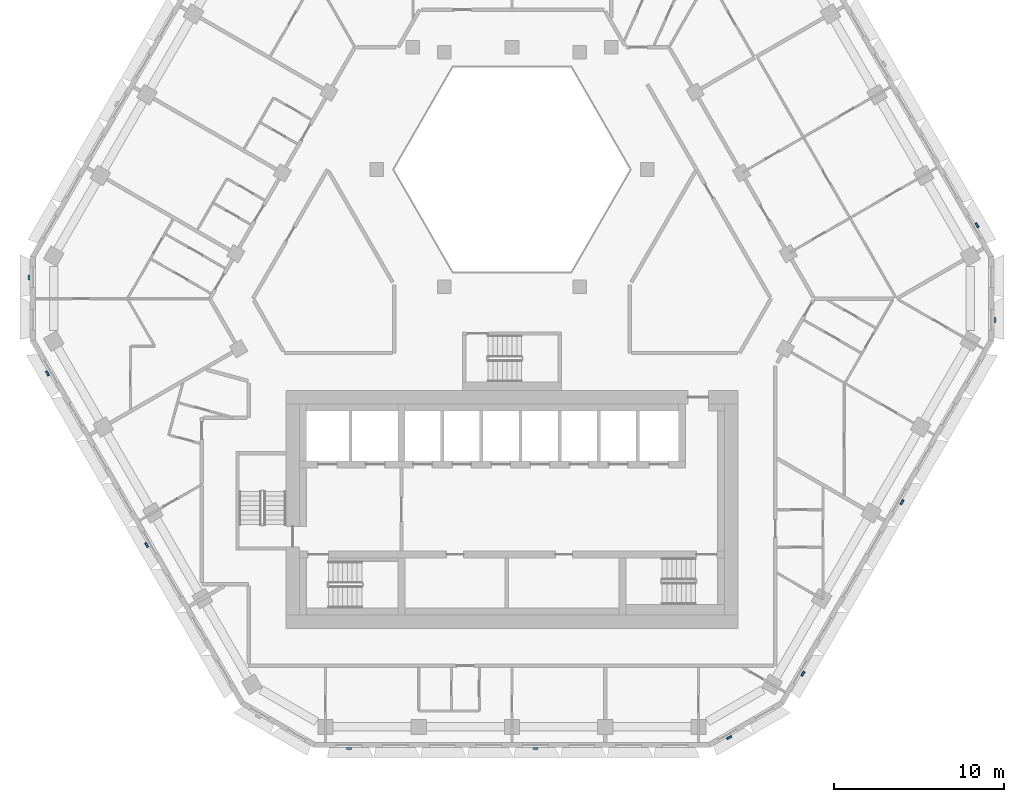
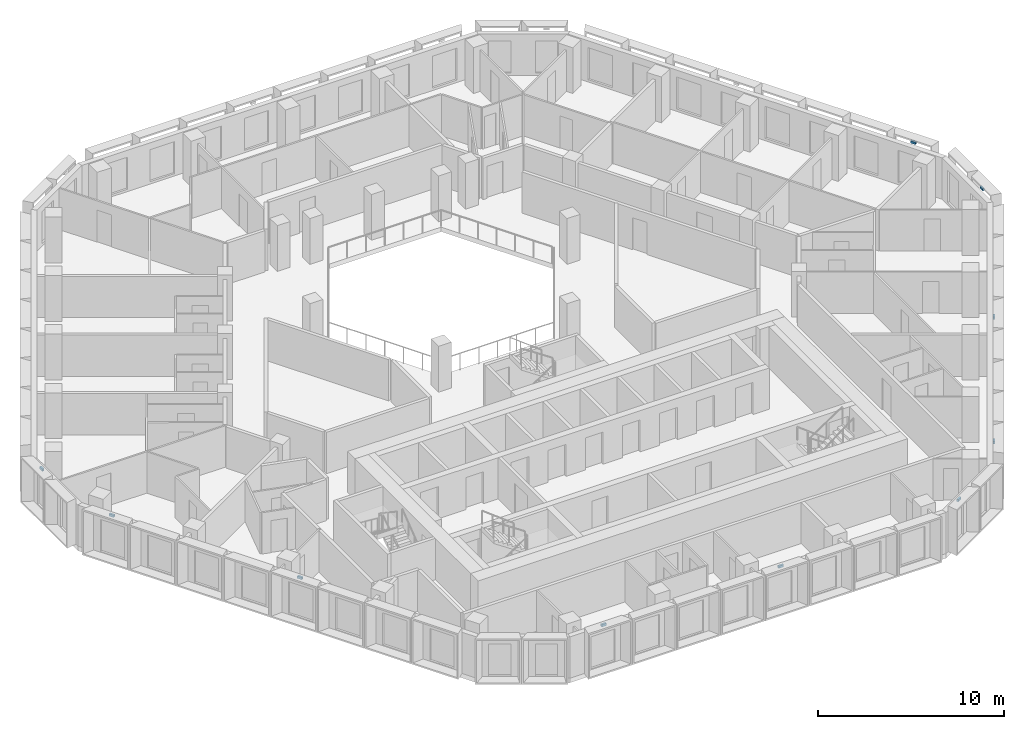
# One storey, part 10 of 17: 10 discrete accessories.
"""IFC4 building model written with IfcOpenShell, lengths in metres."""

from ifc_helpers import new_model, si_unit, direction, frame, origin, place, context, subcontext, project, spatial, polyline, outline, extrude, source, transform, mapped, material, type_object, type_shapes, element, save


model = new_model("IFC4")

# Units and contexts
model_context = context("Model", 3, precision=1e-05, world=origin(), true_north=direction((0.0, 1.0)))
body_context = subcontext(model_context, "Body", "Model", "MODEL_VIEW")
ifc_project = project(units=[si_unit("LENGTHUNIT", "METRE"), si_unit("AREAUNIT", "SQUARE_METRE"), si_unit("VOLUMEUNIT", "CUBIC_METRE"), si_unit("PLANEANGLEUNIT", "RADIAN"), si_unit("MASSUNIT", "GRAM", prefix="KILO")], contexts=[model_context])

# Site, building, storey
site_placement = place(None, origin())
site = spatial("IfcSite", under=ifc_project, at=site_placement, CompositionType="ELEMENT")
building_placement = place(site_placement, origin())
building = spatial("IfcBuilding", under=site, at=building_placement, Name="Beryl Residences", CompositionType="ELEMENT")
storey_placement = place(building_placement, frame((0.0, 0.0, 120.60009765625)))
storey = spatial("IfcBuildingStorey", under=building, at=storey_placement, Name="L36", CompositionType="ELEMENT", Elevation=120.60009765625)

# Discrete accessories
ifc_material = material(Name="Steel S355", Category="steel")
discrete_accessory_type = type_object("IfcDiscreteAccessoryType", Name="BR1 frame bracket 300 x 120 x 150 mm", PredefinedType="BRACKET", material=ifc_material)
shared_shape = source(origin(), body_context, "Body", "SweptSolid", [
    extrude(outline(polyline([(-0.14990234375, 0.0), (0.14990234375, 0.0), (0.14990234375, 0.1201171875), (-0.14990234375, 0.1201171875), (-0.14990234375, 0.0)])), origin(), (0.0, 0.0, 1.0), 0.14990234375),
])
type_shapes(discrete_accessory_type, [shared_shape])
for number, where, z_axis, x_axis, name in (
    (1, (-28.347900390625, 1.64990234375, 2.75), (0.0, 0.0, 1.0), (0.0, 1.0, 0.0), "BR1 bracket L36 NW-SW 1"),
    (2, (-27.27294921875, -3.9619140625, 2.75), (0.0, 0.0, 1.0), (-0.5, 0.866025403784, 0.0), "BR1 bracket L36 SW 1"),
    (3, (-21.44189453125, -14.06201171875, 2.75), (0.0, 0.0, 1.0), (-0.5, 0.866025403784, 0.0), "BR1 bracket L36 SW 5"),
    (4, (-9.597900390625, -26.0, 2.75), (0.0, 0.0, 1.0), (-1.0, 0.0, 0.0), "BR1 bracket L36 S 1"),
    (5, (1.3720703125, -26.0, 2.75), (0.0, 0.0, 1.0), (-1.0, 0.0, 0.0), "BR1 bracket L36 S 5"),
    (6, (12.7451171875, -25.375, 2.75), (0.0, 0.0, 1.0), (-0.866025403784, -0.5, 0.0), "BR1 bracket L36 S-SE 1"),
    (7, (17.06689453125, -21.637939453125, 2.75), (0.0, 0.0, 1.0), (-0.5, -0.866025403784, 0.0), "BR1 bracket L36 SE 1"),
    (8, (22.89794921875, -11.5380859375, 2.75), (0.0, 0.0, 1.0), (-0.5, -0.866025403784, 0.0), "BR1 bracket L36 SE 5"),
    (9, (28.347900390625, -0.85009765625, 2.75), (0.0, 0.0, 1.0), (0.0, -1.0, 0.0), "BR1 bracket L36 SE-NE 1"),
    (10, (27.31591796875, 4.68701171875, 2.75), (0.0, 0.0, 1.0), (0.5, -0.866025403784, 0.0), "BR1 bracket L36 NE 1"),
):
    element("IfcDiscreteAccessory", number, at=place(storey_placement, frame(where, z_axis=z_axis, x_axis=x_axis)), inside=storey, type_object=discrete_accessory_type, Name=name, PredefinedType="BRACKET", context=body_context, shape_type="MappedRepresentation", body=[
        mapped(shared_shape, transform((0.0, 0.0, 0.0))),
    ])

save(model, "model.ifc")
